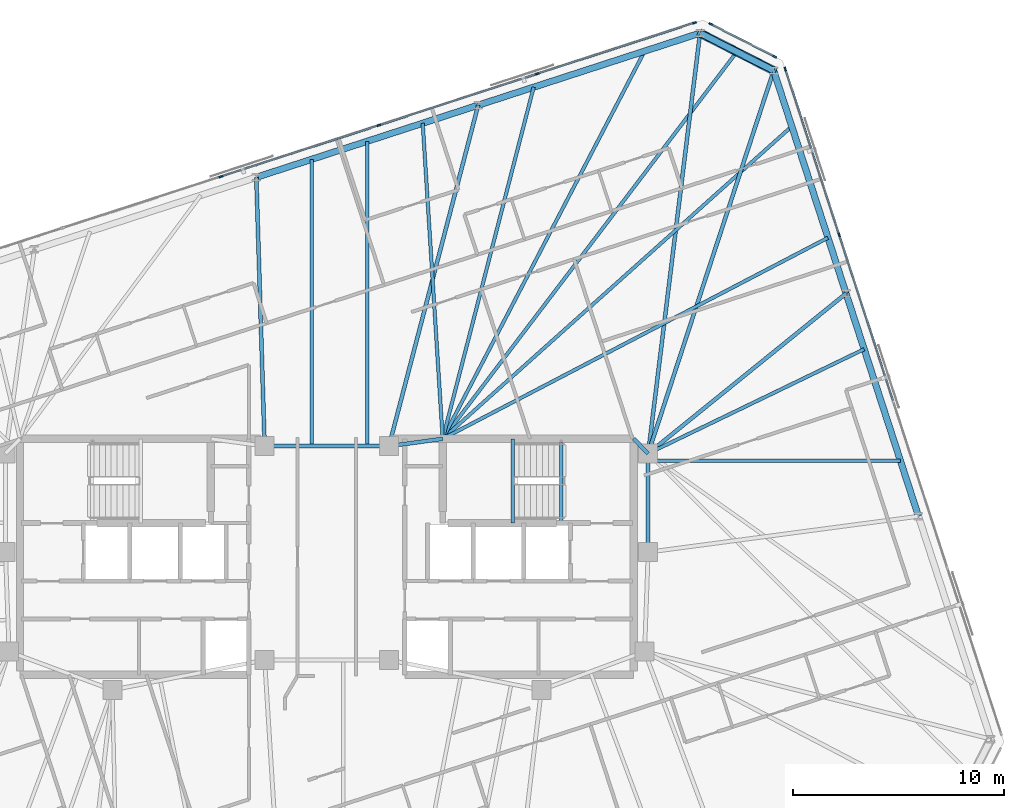
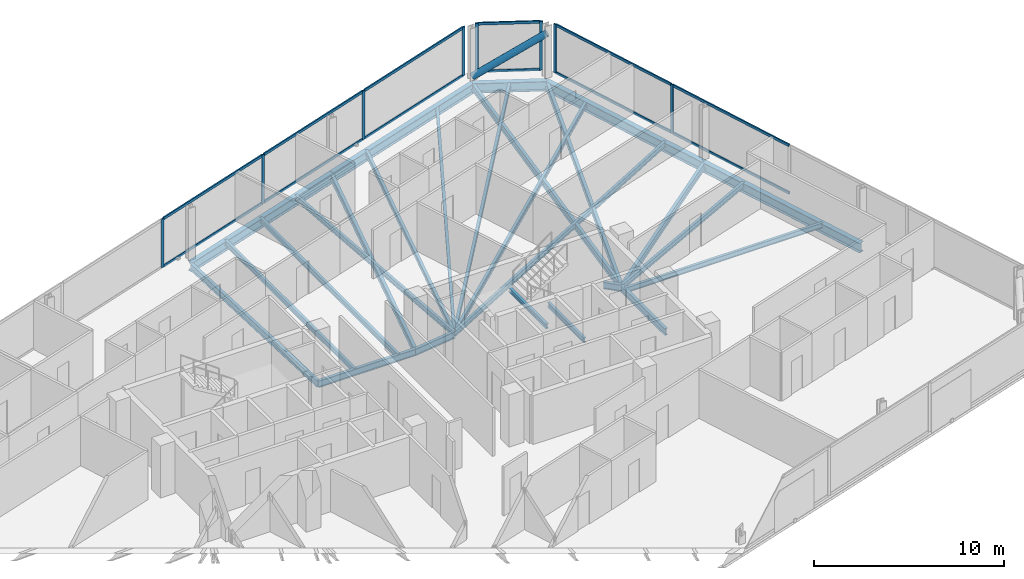
# One storey, part 10 of 20: 26 beams, 21 members, 3 elements without a shape of their own.
"""IFC4 building model written with IfcOpenShell, lengths in metres."""

from ifc_helpers import new_model, si_unit, direction, frame, origin, origin_2d, place, context, subcontext, project, spatial, rectangle, hollow_circle, i_section, extrude, material, material_profile, profile_set, type_object, element, aggregate, save


model = new_model("IFC4")

# Units and contexts
model_context = context("Model", 3, precision=1e-05, world=origin(), true_north=direction((0.0, 1.0)))
body_context = subcontext(model_context, "Body", "Model", "MODEL_VIEW")
ifc_project = project(units=[si_unit("LENGTHUNIT", "METRE"), si_unit("AREAUNIT", "SQUARE_METRE"), si_unit("VOLUMEUNIT", "CUBIC_METRE"), si_unit("PLANEANGLEUNIT", "RADIAN"), si_unit("MASSUNIT", "GRAM", prefix="KILO")], contexts=[model_context])

# Site, building, storey
site_placement = place(None, origin())
site = spatial("IfcSite", under=ifc_project, at=site_placement, CompositionType="ELEMENT")
building_placement = place(site_placement, origin())
building = spatial("IfcBuilding", under=site, at=building_placement, Name="Menara Jurai Vektor", CompositionType="ELEMENT")
storey_placement = place(building_placement, frame((0.0, 0.0, 217.60009765625)))
storey = spatial("IfcBuildingStorey", under=building, at=storey_placement, Name="L57", CompositionType="ELEMENT", Elevation=217.60009765625)

# Curtain wall, members
ifc_material_1 = material(Name="Anodised Pale Aluminium & Low-E Double Glazing", Category="aluminium")
curtain_wall_type = type_object("IfcCurtainWallType", Name="CW-BLK4", PredefinedType="NOTDEFINED", material=ifc_material_1)
curtain_wall_1_placement = place(storey_placement, origin())
curtain_wall_1 = element("IfcCurtainWall", 1, at=curtain_wall_1_placement, inside=storey, type_object=curtain_wall_type, Name="Unitised Curtain Wall L57 F03", PredefinedType="NOTDEFINED")
ifc_material_2 = material(Name="Anodised Pale Aluminium Mullion", Category="aluminium")
ifc_material_profile_1 = material_profile(ifc_material_2, rectangle(XDim=0.080078125, YDim=0.18994140625, at=origin_2d()), Name="ALU MUL 80x190")
ifc_profile_set_1 = profile_set([ifc_material_profile_1], Name="Anodised Pale Aluminium Mullion")
member_type_1 = type_object("IfcMemberType", Name="CW-BLK4-MUL", PredefinedType="MULLION", material=ifc_profile_set_1)
member_1_placement = place(storey_placement, frame((24.31494140625, 15.28271484375, 0.0), z_axis=(0.0, 0.0, 1.0), x_axis=(-0.95105668295, -0.309016481464, 0.0)))
member_1 = element("IfcMember", 2, at=member_1_placement, type_object=member_type_1, Name="CW-04 mullion 4", PredefinedType="MULLION", context=body_context, shape_type="SweptSolid", body=[
    extrude(rectangle(XDim=0.080078125, YDim=0.18994140625, at=origin_2d()), origin(), (0.0, 0.0, 1.0), 3.125),
])
member_2_placement = place(storey_placement, frame((21.75927734375, 23.14794921875, 0.0), z_axis=(0.0, 0.0, 1.0), x_axis=(-0.95105668295, -0.309016481464, 0.0)))
member_2 = element("IfcMember", 3, at=member_2_placement, type_object=member_type_1, Name="CW-04 mullion 5", PredefinedType="MULLION", context=body_context, shape_type="SweptSolid", body=[
    extrude(rectangle(XDim=0.080078125, YDim=0.18994140625, at=origin_2d()), origin(), (0.0, 0.0, 1.0), 3.125),
])

curtain_wall_2_placement = place(storey_placement, origin())
curtain_wall_2 = element("IfcCurtainWall", 4, at=curtain_wall_2_placement, inside=storey, type_object=curtain_wall_type, Name="Unitised Curtain Wall L57 F04", PredefinedType="NOTDEFINED")
member_3_placement = place(storey_placement, frame((21.25537109375, 23.73828125, 0.0), z_axis=(0.0, 0.0, 1.0), x_axis=(-0.453988579828, -0.89100750243, 0.0)))
member_3 = element("IfcMember", 5, at=member_3_placement, type_object=member_type_1, Name="CW-04 mullion 1", PredefinedType="MULLION", context=body_context, shape_type="SweptSolid", body=[
    extrude(rectangle(XDim=0.080078125, YDim=0.18994140625, at=origin_2d()), origin(), (0.0, 0.0, 1.0), 3.125),
])
member_4_placement = place(storey_placement, frame((18.223388671875, 25.282958984375, 0.0), z_axis=(0.0, 0.0, 1.0), x_axis=(-0.453988579828, -0.89100750243, 0.0)))
member_4 = element("IfcMember", 6, at=member_4_placement, type_object=member_type_1, Name="CW-04 mullion 2", PredefinedType="MULLION", context=body_context, shape_type="SweptSolid", body=[
    extrude(rectangle(XDim=0.080078125, YDim=0.18994140625, at=origin_2d()), origin(), (0.0, 0.0, 1.0), 3.125),
])

curtain_wall_3_placement = place(storey_placement, origin())
curtain_wall_3 = element("IfcCurtainWall", 7, at=curtain_wall_3_placement, inside=storey, type_object=curtain_wall_type, Name="Unitised Curtain Wall L57 F05", PredefinedType="NOTDEFINED")
member_5_placement = place(storey_placement, frame((17.44970703125, 25.34375, 0.0), z_axis=(0.0, 0.0, 1.0), x_axis=(0.309017344167, -0.951056402641, 0.0)))
member_5 = element("IfcMember", 8, at=member_5_placement, type_object=member_type_1, Name="CW-04 mullion 1", PredefinedType="MULLION", context=body_context, shape_type="SweptSolid", body=[
    extrude(rectangle(XDim=0.080078125, YDim=0.18994140625, at=origin_2d()), origin(), (0.0, 0.0, 1.0), 3.125),
])
member_6_placement = place(storey_placement, frame((9.982666015625, 22.917724609375, 0.0), z_axis=(0.0, 0.0, 1.0), x_axis=(0.309017344167, -0.951056402641, 0.0)))
member_6 = element("IfcMember", 9, at=member_6_placement, type_object=member_type_1, Name="CW-04 mullion 2", PredefinedType="MULLION", context=body_context, shape_type="SweptSolid", body=[
    extrude(rectangle(XDim=0.080078125, YDim=0.18994140625, at=origin_2d()), origin(), (0.0, 0.0, 1.0), 3.125),
])
member_7_placement = place(storey_placement, frame((2.4775390625, 20.47900390625, 0.0), z_axis=(0.0, 0.0, 1.0), x_axis=(0.309017344167, -0.951056402641, 0.0)))
member_7 = element("IfcMember", 10, at=member_7_placement, type_object=member_type_1, Name="CW-04 mullion 3", PredefinedType="MULLION", context=body_context, shape_type="SweptSolid", body=[
    extrude(rectangle(XDim=0.080078125, YDim=0.18994140625, at=origin_2d()), origin(), (0.0, 0.0, 1.0), 3.125),
])
member_8_placement = place(storey_placement, frame((-5.02783203125, 18.04052734375, 0.0), z_axis=(0.0, 0.0, 1.0), x_axis=(0.309017344167, -0.951056402641, 0.0)))
member_8 = element("IfcMember", 11, at=member_8_placement, type_object=member_type_1, Name="CW-04 mullion 4", PredefinedType="MULLION", context=body_context, shape_type="SweptSolid", body=[
    extrude(rectangle(XDim=0.080078125, YDim=0.18994140625, at=origin_2d()), origin(), (0.0, 0.0, 1.0), 3.125),
])

# Member
ifc_material_3 = material(Name="Anodised Pale Aluminium Transom", Category="aluminium")
ifc_material_profile_2 = material_profile(ifc_material_3, rectangle(XDim=0.080078125, YDim=0.1650390625, at=origin_2d()), Name="ALU TRN 80x165")
ifc_profile_set_2 = profile_set([ifc_material_profile_2], Name="Anodised Pale Aluminium Transom")
member_type_2 = type_object("IfcMemberType", Name="CW-BLK4-TRN", PredefinedType="USERDEFINED", material=ifc_profile_set_2)
member_9_placement = place(storey_placement, frame((26.870361328125, 7.41748046875, 0.039794921875), z_axis=(-0.309010276303, 0.951058699103, 0.0), x_axis=(-0.951058699103, -0.309010276303, 0.0)))
member_9 = element("IfcMember", 12, at=member_9_placement, type_object=member_type_2, Name="CW-04 transom 3.1", ObjectType="TRANSOM", PredefinedType="USERDEFINED", context=body_context, shape_type="SweptSolid", body=[
    extrude(rectangle(XDim=0.080078125, YDim=0.1650390625, at=origin_2d()), origin(), (0.0, 0.0, 1.0), 8.230224609375),
])

member_10_placement = place(storey_placement, frame((26.870361328125, 7.41748046875, 3.0849609375), z_axis=(-0.309010276303, 0.951058699103, 0.0), x_axis=(-0.951058699103, -0.309010276303, 0.0)))
member_10 = element("IfcMember", 13, at=member_10_placement, type_object=member_type_2, Name="CW-04 transom 3.2", ObjectType="TRANSOM", PredefinedType="USERDEFINED", context=body_context, shape_type="SweptSolid", body=[
    extrude(rectangle(XDim=0.080078125, YDim=0.1650390625, at=origin_2d()), origin(), (0.0, 0.0, 1.0), 8.230224609375),
])

member_11_placement = place(storey_placement, frame((24.302490234375, 15.32080078125, 0.039794921875), z_axis=(-0.309001816839, 0.951061447642, 0.0), x_axis=(-0.951061447642, -0.309001816839, 0.0)))
member_11 = element("IfcMember", 14, at=member_11_placement, type_object=member_type_2, Name="CW-04 transom 4.1", ObjectType="TRANSOM", PredefinedType="USERDEFINED", context=body_context, shape_type="SweptSolid", body=[
    extrude(rectangle(XDim=0.080078125, YDim=0.1650390625, at=origin_2d()), origin(), (0.0, 0.0, 1.0), 8.190185546875),
])

member_12_placement = place(storey_placement, frame((24.302490234375, 15.32080078125, 3.0849609375), z_axis=(-0.309001816839, 0.951061447642, 0.0), x_axis=(-0.951061447642, -0.309001816839, 0.0)))
member_12 = element("IfcMember", 15, at=member_12_placement, type_object=member_type_2, Name="CW-04 transom 4.2", ObjectType="TRANSOM", PredefinedType="USERDEFINED", context=body_context, shape_type="SweptSolid", body=[
    extrude(rectangle(XDim=0.080078125, YDim=0.1650390625, at=origin_2d()), origin(), (0.0, 0.0, 1.0), 8.190185546875),
])

aggregate(curtain_wall_1, [member_1, member_2, member_9, member_10, member_11, member_12])

member_13_placement = place(storey_placement, frame((21.2197265625, 23.75634765625, 0.039794921875), z_axis=(-0.89100697374, 0.453989617444, 0.0), x_axis=(-0.453989617444, -0.89100697374, 0.0)))
member_13 = element("IfcMember", 16, at=member_13_placement, type_object=member_type_2, Name="CW-04 transom 1.1", ObjectType="TRANSOM", PredefinedType="USERDEFINED", context=body_context, shape_type="SweptSolid", body=[
    extrude(rectangle(XDim=0.080078125, YDim=0.1650390625, at=origin_2d()), origin(), (0.0, 0.0, 1.0), 3.32275390625),
])

member_14_placement = place(storey_placement, frame((21.2197265625, 23.75634765625, 3.0849609375), z_axis=(-0.89100697374, 0.453989617444, 0.0), x_axis=(-0.453989617444, -0.89100697374, 0.0)))
member_14 = element("IfcMember", 17, at=member_14_placement, type_object=member_type_2, Name="CW-04 transom 1.2", ObjectType="TRANSOM", PredefinedType="USERDEFINED", context=body_context, shape_type="SweptSolid", body=[
    extrude(rectangle(XDim=0.080078125, YDim=0.1650390625, at=origin_2d()), origin(), (0.0, 0.0, 1.0), 3.32275390625),
])

aggregate(curtain_wall_2, [member_3, member_4, member_13, member_14])

member_15_placement = place(storey_placement, frame((17.41162109375, 25.33154296875, 0.039794921875), z_axis=(-0.951049997348, -0.309037056912, 0.0), x_axis=(0.309037056912, -0.951049997348, 0.0)))
member_15 = element("IfcMember", 18, at=member_15_placement, type_object=member_type_2, Name="CW-04 transom 1.1", ObjectType="TRANSOM", PredefinedType="USERDEFINED", context=body_context, shape_type="SweptSolid", body=[
    extrude(rectangle(XDim=0.080078125, YDim=0.1650390625, at=origin_2d()), origin(), (0.0, 0.0, 1.0), 7.771240234375),
])

member_16_placement = place(storey_placement, frame((17.41162109375, 25.33154296875, 3.0849609375), z_axis=(-0.951049997348, -0.309037056912, 0.0), x_axis=(0.309037056912, -0.951049997348, 0.0)))
member_16 = element("IfcMember", 19, at=member_16_placement, type_object=member_type_2, Name="CW-04 transom 1.2", ObjectType="TRANSOM", PredefinedType="USERDEFINED", context=body_context, shape_type="SweptSolid", body=[
    extrude(rectangle(XDim=0.080078125, YDim=0.1650390625, at=origin_2d()), origin(), (0.0, 0.0, 1.0), 7.771240234375),
])

member_17_placement = place(storey_placement, frame((9.944580078125, 22.9052734375, 0.039794921875), z_axis=(-0.951059330237, -0.309008333817, 0.0), x_axis=(0.309008333817, -0.951059330237, 0.0)))
member_17 = element("IfcMember", 20, at=member_17_placement, type_object=member_type_2, Name="CW-04 transom 2.1", ObjectType="TRANSOM", PredefinedType="USERDEFINED", context=body_context, shape_type="SweptSolid", body=[
    extrude(rectangle(XDim=0.080078125, YDim=0.1650390625, at=origin_2d()), origin(), (0.0, 0.0, 1.0), 7.8115234375),
])

member_18_placement = place(storey_placement, frame((9.944580078125, 22.9052734375, 3.0849609375), z_axis=(-0.951059330237, -0.309008333817, 0.0), x_axis=(0.309008333817, -0.951059330237, 0.0)))
member_18 = element("IfcMember", 21, at=member_18_placement, type_object=member_type_2, Name="CW-04 transom 2.2", ObjectType="TRANSOM", PredefinedType="USERDEFINED", context=body_context, shape_type="SweptSolid", body=[
    extrude(rectangle(XDim=0.080078125, YDim=0.1650390625, at=origin_2d()), origin(), (0.0, 0.0, 1.0), 7.8115234375),
])

member_19_placement = place(storey_placement, frame((2.439453125, 20.466552734375, 0.039794921875), z_axis=(-0.951059330237, -0.309008333817, 0.0), x_axis=(0.309008333817, -0.951059330237, 0.0)))
member_19 = element("IfcMember", 22, at=member_19_placement, type_object=member_type_2, Name="CW-04 transom 3.1", ObjectType="TRANSOM", PredefinedType="USERDEFINED", context=body_context, shape_type="SweptSolid", body=[
    extrude(rectangle(XDim=0.080078125, YDim=0.1650390625, at=origin_2d()), origin(), (0.0, 0.0, 1.0), 7.8115234375),
])

member_20_placement = place(storey_placement, frame((2.439453125, 20.466552734375, 3.0849609375), z_axis=(-0.951059330237, -0.309008333817, 0.0), x_axis=(0.309008333817, -0.951059330237, 0.0)))
member_20 = element("IfcMember", 23, at=member_20_placement, type_object=member_type_2, Name="CW-04 transom 3.2", ObjectType="TRANSOM", PredefinedType="USERDEFINED", context=body_context, shape_type="SweptSolid", body=[
    extrude(rectangle(XDim=0.080078125, YDim=0.1650390625, at=origin_2d()), origin(), (0.0, 0.0, 1.0), 7.8115234375),
])

aggregate(curtain_wall_3, [member_5, member_6, member_7, member_8, member_15, member_16, member_17, member_18, member_19, member_20])

# Beams
ifc_material_4 = material(Name="Steel S355", Category="steel")
ifc_material_profile_3 = material_profile(ifc_material_4, i_section(OverallWidth=0.18505859375, OverallDepth=0.429931640625, WebThickness=0.010986328125, FlangeThickness=0.01806640625, at=origin_2d()), Name="PG 430x185x76")
ifc_profile_set_3 = profile_set([ifc_material_profile_3], Name="Steel S355")
beam_type_1 = type_object("IfcBeamType", Name="STR-BM-430", PredefinedType="BEAM", material=ifc_profile_set_3)
beam_1_placement = place(storey_placement, frame((2.949951171875, 5.25, -0.440185546875), z_axis=(0.990706818608, 0.136014703483, 0.0), x_axis=(-0.136014703483, 0.990706818608, 0.0)))
element("IfcBeam", 24, at=beam_1_placement, inside=storey, type_object=beam_type_1, Name="Core Ring Header Girder L57-CHE-N1", PredefinedType="BEAM", context=body_context, shape_type="SweptSolid", body=[
    extrude(i_section(OverallWidth=0.18505859375, OverallDepth=0.429931640625, WebThickness=0.010986328125, FlangeThickness=0.01806640625, at=origin_2d()), origin(), (0.0, 0.0, 1.0), 2.573974609375),
])
beam_2_placement = place(storey_placement, frame((14.56005859375, 5.60009765625, -0.440185546875), z_axis=(0.701871936926, -0.712303154672, 0.0), x_axis=(0.712303154672, 0.701871936926, 0.0)))
element("IfcBeam", 25, at=beam_2_placement, inside=storey, type_object=beam_type_1, Name="Core Ring Header Girder L57-CHE-N2", PredefinedType="BEAM", context=body_context, shape_type="SweptSolid", body=[
    extrude(i_section(OverallWidth=0.18505859375, OverallDepth=0.429931640625, WebThickness=0.010986328125, FlangeThickness=0.01806640625, at=origin_2d()), origin(), (0.0, 0.0, 1.0), 0.98291015625),
])
beam_3_placement = place(storey_placement, frame((15.25, 0.219970703125, -0.440185546875), z_axis=(0.0, 1.0, 0.0), x_axis=(-1.0, 0.0, 0.0)))
element("IfcBeam", 26, at=beam_3_placement, inside=storey, type_object=beam_type_1, Name="Core Ring Header Girder L57-CHE-E1", PredefinedType="BEAM", context=body_context, shape_type="SweptSolid", body=[
    extrude(i_section(OverallWidth=0.18505859375, OverallDepth=0.429931640625, WebThickness=0.010986328125, FlangeThickness=0.01806640625, at=origin_2d()), origin(), (0.0, 0.0, 1.0), 4.679931640625),
])
beam_4_placement = place(storey_placement, frame((-2.949951171875, 5.25, -0.440185546875), z_axis=(1.0, 0.0, 0.0), x_axis=(0.0, 1.0, 0.0)))
element("IfcBeam", 27, at=beam_4_placement, inside=storey, type_object=beam_type_1, Name="Core Ring Header Girder L57-CC-2", PredefinedType="BEAM", context=body_context, shape_type="SweptSolid", body=[
    extrude(i_section(OverallWidth=0.18505859375, OverallDepth=0.429931640625, WebThickness=0.010986328125, FlangeThickness=0.01806640625, at=origin_2d()), origin(), (0.0, 0.0, 1.0), 5.89990234375),
])
beam_5_placement = place(storey_placement, frame((24.641845703125, 12.496826171875, -0.440185546875), z_axis=(-0.777487674144, -0.628898176619, 0.0), x_axis=(0.628898176619, -0.777487674144, 0.0)))
element("IfcBeam", 28, at=beam_5_placement, inside=storey, type_object=beam_type_1, Name="Radial Floor Girder L57-E3", PredefinedType="BEAM", context=body_context, shape_type="SweptSolid", body=[
    extrude(i_section(OverallWidth=0.18505859375, OverallDepth=0.429931640625, WebThickness=0.010986328125, FlangeThickness=0.01806640625, at=origin_2d()), origin(), (0.0, 0.0, 1.0), 12.079833984375),
])
beam_6_placement = place(storey_placement, frame((21.205810546875, 23.071044921875, -0.440185546875), z_axis=(-0.311459010005, -0.950259588263, 0.0), x_axis=(0.950259588263, -0.311459010005, 0.0)))
element("IfcBeam", 29, at=beam_6_placement, inside=storey, type_object=beam_type_1, Name="Radial Floor Girder L57-E4", PredefinedType="BEAM", context=body_context, shape_type="SweptSolid", body=[
    extrude(i_section(OverallWidth=0.18505859375, OverallDepth=0.429931640625, WebThickness=0.010986328125, FlangeThickness=0.01806640625, at=origin_2d()), origin(), (0.0, 0.0, 1.0), 19.122314453125),
])
beam_7_placement = place(storey_placement, frame((17.712890625, 24.85107421875, -0.440185546875), z_axis=(-0.122515938756, -0.99246654591, 0.0), x_axis=(0.99246654591, -0.122515938756, 0.0)))
element("IfcBeam", 30, at=beam_7_placement, inside=storey, type_object=beam_type_1, Name="Radial Floor Girder L57-N1", PredefinedType="BEAM", context=body_context, shape_type="SweptSolid", body=[
    extrude(i_section(OverallWidth=0.18505859375, OverallDepth=0.429931640625, WebThickness=0.010986328125, FlangeThickness=0.01806640625, at=origin_2d()), origin(), (0.0, 0.0, 1.0), 20.1025390625),
])
beam_8_placement = place(storey_placement, frame((7.18359375, 21.4296875, -0.440185546875), z_axis=(-0.253141463003, -0.96742927375, 0.0), x_axis=(0.96742927375, -0.253141463003, 0.0)))
element("IfcBeam", 31, at=beam_8_placement, inside=storey, type_object=beam_type_1, Name="Radial Floor Girder L57-N2", PredefinedType="BEAM", context=body_context, shape_type="SweptSolid", body=[
    extrude(i_section(OverallWidth=0.18505859375, OverallDepth=0.429931640625, WebThickness=0.010986328125, FlangeThickness=0.01806640625, at=origin_2d()), origin(), (0.0, 0.0, 1.0), 16.724365234375),
])
beam_9_placement = place(storey_placement, frame((-3.345703125, 18.008544921875, -0.440185546875), z_axis=(0.031003668991, -0.999519270704, 0.0), x_axis=(0.999519270704, 0.031003668991, 0.0)))
element("IfcBeam", 32, at=beam_9_placement, inside=storey, type_object=beam_type_1, Name="Radial Floor Girder L57-N3", PredefinedType="BEAM", context=body_context, shape_type="SweptSolid", body=[
    extrude(i_section(OverallWidth=0.18505859375, OverallDepth=0.429931640625, WebThickness=0.010986328125, FlangeThickness=0.01806640625, at=origin_2d()), origin(), (0.0, 0.0, 1.0), 12.7646484375),
])

# Member
ifc_material_5 = material(Name="Steel S460", Category="steel")
ifc_material_profile_4 = material_profile(ifc_material_5, hollow_circle(Radius=0.203125, WallThickness=0.01611328125, at=origin_2d()), Name="CHS 406.4x16")
ifc_profile_set_4 = profile_set([ifc_material_profile_4], Name="Steel S460")
member_type_3 = type_object("IfcMemberType", Name="STR-BR-406", PredefinedType="BRACE", material=ifc_profile_set_4)
member_21_placement = place(storey_placement, frame((17.712890625, 24.85107421875, 0.14990234375), z_axis=(0.740360915323, -0.377269459996, 0.556357321886), x_axis=(0.454025593397, 0.890988642206, 0.0)))
element("IfcMember", 33, at=member_21_placement, inside=storey, type_object=member_type_3, Name="Exoskeleton Corner Brace L57-2", PredefinedType="BRACE", context=body_context, shape_type="SweptSolid", body=[
    extrude(hollow_circle(Radius=0.203125, WallThickness=0.01611328125, at=origin_2d()), origin(), (0.0, 0.0, 1.0), 4.71826171875),
])

# Beams
ifc_material_profile_5 = material_profile(ifc_material_4, i_section(OverallWidth=0.1650390625, OverallDepth=0.330078125, WebThickness=0.009033203125, FlangeThickness=0.013916015625, at=origin_2d()), Name="PG 330x165x46")
ifc_profile_set_5 = profile_set([ifc_material_profile_5], Name="Steel S355")
beam_type_2 = type_object("IfcBeamType", Name="STR-JS-330", PredefinedType="JOIST", material=ifc_profile_set_5)
beam_10_placement = place(storey_placement, frame((27.218505859375, 4.56591796875, -0.39013671875), z_axis=(-1.0, 0.0, 0.0), x_axis=(0.0, -1.0, 0.0)))
element("IfcBeam", 34, at=beam_10_placement, inside=storey, type_object=beam_type_2, Name="Radial Secondary Floor Joist L57-JS11", PredefinedType="JOIST", context=body_context, shape_type="SweptSolid", body=[
    extrude(i_section(OverallWidth=0.1650390625, OverallDepth=0.330078125, WebThickness=0.009033203125, FlangeThickness=0.013916015625, at=origin_2d()), origin(), (0.0, 0.0, 1.0), 11.968505859375),
])
beam_11_placement = place(storey_placement, frame((25.500732421875, 9.853271484375, -0.39013671875), z_axis=(-0.900388578627, -0.435086666629, 0.0), x_axis=(0.435086666629, -0.900388578627, 0.0)))
element("IfcBeam", 35, at=beam_11_placement, inside=storey, type_object=beam_type_2, Name="Radial Secondary Floor Joist L57-JS12", PredefinedType="JOIST", context=body_context, shape_type="SweptSolid", body=[
    extrude(i_section(OverallWidth=0.1650390625, OverallDepth=0.330078125, WebThickness=0.009033203125, FlangeThickness=0.013916015625, at=origin_2d()), origin(), (0.0, 0.0, 1.0), 11.384765625),
])
beam_12_placement = place(storey_placement, frame((23.78271484375, 15.140380859375, -0.39013671875), z_axis=(-0.886555502614, -0.462622244153, 0.0), x_axis=(0.462622244153, -0.886555502614, 0.0)))
element("IfcBeam", 36, at=beam_12_placement, inside=storey, type_object=beam_type_2, Name="Radial Secondary Floor Joist L57-JS13", PredefinedType="JOIST", context=body_context, shape_type="SweptSolid", body=[
    extrude(i_section(OverallWidth=0.1650390625, OverallDepth=0.330078125, WebThickness=0.009033203125, FlangeThickness=0.013916015625, at=origin_2d()), origin(), (0.0, 0.0, 1.0), 20.6220703125),
])
beam_13_placement = place(storey_placement, frame((22.06494140625, 20.427490234375, -0.39013671875), z_axis=(-0.745104297608, -0.666947963252, 0.0), x_axis=(0.666947963252, -0.745104297608, 0.0)))
element("IfcBeam", 37, at=beam_13_placement, inside=storey, type_object=beam_type_2, Name="Radial Secondary Floor Joist L57-JS14", PredefinedType="JOIST", context=body_context, shape_type="SweptSolid", body=[
    extrude(i_section(OverallWidth=0.1650390625, OverallDepth=0.330078125, WebThickness=0.009033203125, FlangeThickness=0.013916015625, at=origin_2d()), origin(), (0.0, 0.0, 1.0), 22.231689453125),
])
beam_14_placement = place(storey_placement, frame((19.45947265625, 23.9609375, -0.39013671875), z_axis=(-0.605227110118, -0.796052853257, 0.0), x_axis=(0.796052853257, -0.605227110118, 0.0)))
element("IfcBeam", 38, at=beam_14_placement, inside=storey, type_object=beam_type_2, Name="Radial Secondary Floor Joist L57-JS15", PredefinedType="JOIST", context=body_context, shape_type="SweptSolid", body=[
    extrude(i_section(OverallWidth=0.1650390625, OverallDepth=0.330078125, WebThickness=0.009033203125, FlangeThickness=0.013916015625, at=origin_2d()), origin(), (0.0, 0.0, 1.0), 23.06494140625),
])
beam_15_placement = place(storey_placement, frame((15.08056640625, 23.99560546875, -0.39013671875), z_axis=(-0.461918215026, -0.886922523464, 0.0), x_axis=(0.886922523464, -0.461918215026, 0.0)))
element("IfcBeam", 39, at=beam_15_placement, inside=storey, type_object=beam_type_2, Name="Radial Secondary Floor Joist L57-JS16", PredefinedType="JOIST", context=body_context, shape_type="SweptSolid", body=[
    extrude(i_section(OverallWidth=0.1650390625, OverallDepth=0.330078125, WebThickness=0.009033203125, FlangeThickness=0.013916015625, at=origin_2d()), origin(), (0.0, 0.0, 1.0), 20.74072265625),
])
beam_16_placement = place(storey_placement, frame((9.81591796875, 22.28515625, -0.39013671875), z_axis=(-0.250427234151, -0.968135424616, 0.0), x_axis=(0.968135424616, -0.250427234151, 0.0)))
element("IfcBeam", 40, at=beam_16_placement, inside=storey, type_object=beam_type_2, Name="Radial Secondary Floor Joist L57-JS17", PredefinedType="JOIST", context=body_context, shape_type="SweptSolid", body=[
    extrude(i_section(OverallWidth=0.1650390625, OverallDepth=0.330078125, WebThickness=0.009033203125, FlangeThickness=0.013916015625, at=origin_2d()), origin(), (0.0, 0.0, 1.0), 17.234130859375),
])
beam_17_placement = place(storey_placement, frame((4.55126953125, 20.574462890625, -0.39013671875), z_axis=(0.063230194737, -0.997998969175, 0.0), x_axis=(0.997998969175, 0.063230194737, 0.0)))
element("IfcBeam", 41, at=beam_17_placement, inside=storey, type_object=beam_type_2, Name="Radial Secondary Floor Joist L57-JS18", PredefinedType="JOIST", context=body_context, shape_type="SweptSolid", body=[
    extrude(i_section(OverallWidth=0.1650390625, OverallDepth=0.330078125, WebThickness=0.009033203125, FlangeThickness=0.013916015625, at=origin_2d()), origin(), (0.0, 0.0, 1.0), 15.00439453125),
])
beam_18_placement = place(storey_placement, frame((1.9189453125, 19.71923828125, -0.39013671875), z_axis=(0.0, -1.0, 0.0), x_axis=(1.0, 0.0, 0.0)))
element("IfcBeam", 42, at=beam_18_placement, inside=storey, type_object=beam_type_2, Name="Radial Secondary Floor Joist L57-JS19", PredefinedType="JOIST", context=body_context, shape_type="SweptSolid", body=[
    extrude(i_section(OverallWidth=0.1650390625, OverallDepth=0.330078125, WebThickness=0.009033203125, FlangeThickness=0.013916015625, at=origin_2d()), origin(), (0.0, 0.0, 1.0), 14.46923828125),
])
beam_19_placement = place(storey_placement, frame((-0.71337890625, 18.864013671875, -0.39013671875), z_axis=(0.0, -1.0, 0.0), x_axis=(1.0, 0.0, 0.0)))
element("IfcBeam", 43, at=beam_19_placement, inside=storey, type_object=beam_type_2, Name="Radial Secondary Floor Joist L57-JS20", PredefinedType="JOIST", context=body_context, shape_type="SweptSolid", body=[
    extrude(i_section(OverallWidth=0.1650390625, OverallDepth=0.330078125, WebThickness=0.009033203125, FlangeThickness=0.013916015625, at=origin_2d()), origin(), (0.0, 0.0, 1.0), 13.614013671875),
])
ifc_material_profile_6 = material_profile(ifc_material_4, i_section(OverallWidth=0.1650390625, OverallDepth=0.302978515625, WebThickness=0.006103515625, FlangeThickness=0.010009765625, FilletRadius=0.009033203125, at=origin_2d()), Name="UKB 305x165x40")
ifc_profile_set_6 = profile_set([ifc_material_profile_6], Name="Steel S355")
beam_type_3 = type_object("IfcBeamType", Name="STR-LN-305", PredefinedType="LINTEL", material=ifc_profile_set_6)
beam_20_placement = place(storey_placement, frame((11.1201171875, 1.60009765625, -0.376708984375), z_axis=(0.0, 1.0, 0.0), x_axis=(-1.0, 0.0, 0.0)))
element("IfcBeam", 44, at=beam_20_placement, inside=storey, type_object=beam_type_3, Name="Stair Well Floor Trimmer ST2 L57", PredefinedType="LINTEL", context=body_context, shape_type="SweptSolid", body=[
    extrude(i_section(OverallWidth=0.1650390625, OverallDepth=0.302978515625, WebThickness=0.006103515625, FlangeThickness=0.010009765625, FilletRadius=0.009033203125, at=origin_2d()), origin(), (0.0, 0.0, 1.0), 3.81982421875),
])
beam_21_placement = place(storey_placement, frame((8.830078125, 1.60009765625, 1.323486328125), z_axis=(0.0, 1.0, 0.0), x_axis=(-1.0, 0.0, 0.0)))
element("IfcBeam", 45, at=beam_21_placement, inside=storey, type_object=beam_type_3, Name="Stair Half-Landing Nosing Trimmer ST2-1 L57", PredefinedType="LINTEL", context=body_context, shape_type="SweptSolid", body=[
    extrude(i_section(OverallWidth=0.1650390625, OverallDepth=0.302978515625, WebThickness=0.006103515625, FlangeThickness=0.010009765625, FilletRadius=0.009033203125, at=origin_2d()), origin(), (0.0, 0.0, 1.0), 4.0),
])
ifc_material_profile_7 = material_profile(ifc_material_4, i_section(OverallWidth=0.306884765625, OverallDepth=0.6201171875, WebThickness=0.013916015625, FlangeThickness=0.02392578125, FilletRadius=0.01708984375, at=origin_2d()), Name="UKB 610x305x179")
ifc_profile_set_7 = profile_set([ifc_material_profile_7], Name="Steel S355")
beam_type_4 = type_object("IfcBeamType", Name="STR-SP-610", PredefinedType="SPANDREL", material=ifc_profile_set_7)
beam_22_placement = place(storey_placement, frame((28.07763671875, 1.92236328125, -0.53515625), z_axis=(-0.309012092614, 0.95105810896, 0.0), x_axis=(-0.95105810896, -0.309012092614, 0.0)))
element("IfcBeam", 46, at=beam_22_placement, inside=storey, type_object=beam_type_4, Name="Exoskeleton Spandrel Beam L57-08", PredefinedType="SPANDREL", context=body_context, shape_type="SweptSolid", body=[
    extrude(i_section(OverallWidth=0.306884765625, OverallDepth=0.6201171875, WebThickness=0.013916015625, FlangeThickness=0.02392578125, FilletRadius=0.01708984375, at=origin_2d()), origin(), (0.0, 0.0, 1.0), 11.11865234375),
])
beam_23_placement = place(storey_placement, frame((24.641845703125, 12.496826171875, -0.53515625), z_axis=(-0.309038407092, 0.951049558615, 0.0), x_axis=(-0.951049558615, -0.309038407092, 0.0)))
element("IfcBeam", 47, at=beam_23_placement, inside=storey, type_object=beam_type_4, Name="Exoskeleton Spandrel Beam L57-09", PredefinedType="SPANDREL", context=body_context, shape_type="SweptSolid", body=[
    extrude(i_section(OverallWidth=0.306884765625, OverallDepth=0.6201171875, WebThickness=0.013916015625, FlangeThickness=0.02392578125, FilletRadius=0.01708984375, at=origin_2d()), origin(), (0.0, 0.0, 1.0), 11.118408203125),
])
beam_24_placement = place(storey_placement, frame((21.205810546875, 23.071044921875, -0.53515625), z_axis=(-0.890975804423, 0.454050785633, 0.0), x_axis=(-0.454050785633, -0.890975804423, 0.0)))
element("IfcBeam", 48, at=beam_24_placement, inside=storey, type_object=beam_type_4, Name="Exoskeleton Spandrel Beam L57-10", PredefinedType="SPANDREL", context=body_context, shape_type="SweptSolid", body=[
    extrude(i_section(OverallWidth=0.306884765625, OverallDepth=0.6201171875, WebThickness=0.013916015625, FlangeThickness=0.02392578125, FilletRadius=0.01708984375, at=origin_2d()), origin(), (0.0, 0.0, 1.0), 3.92041015625),
])
beam_25_placement = place(storey_placement, frame((17.712890625, 24.85107421875, -0.53515625), z_axis=(-0.951050920942, -0.309034214572, 0.0), x_axis=(0.309034214572, -0.951050920942, 0.0)))
element("IfcBeam", 49, at=beam_25_placement, inside=storey, type_object=beam_type_4, Name="Exoskeleton Spandrel Beam L57-11", PredefinedType="SPANDREL", context=body_context, shape_type="SweptSolid", body=[
    extrude(i_section(OverallWidth=0.306884765625, OverallDepth=0.6201171875, WebThickness=0.013916015625, FlangeThickness=0.02392578125, FilletRadius=0.01708984375, at=origin_2d()), origin(), (0.0, 0.0, 1.0), 11.0712890625),
])
beam_26_placement = place(storey_placement, frame((7.18359375, 21.4296875, -0.53515625), z_axis=(-0.951057401967, -0.309014268544, 0.0), x_axis=(0.309014268544, -0.951057401967, 0.0)))
element("IfcBeam", 50, at=beam_26_placement, inside=storey, type_object=beam_type_4, Name="Exoskeleton Spandrel Beam L57-12", PredefinedType="SPANDREL", context=body_context, shape_type="SweptSolid", body=[
    extrude(i_section(OverallWidth=0.306884765625, OverallDepth=0.6201171875, WebThickness=0.013916015625, FlangeThickness=0.02392578125, FilletRadius=0.01708984375, at=origin_2d()), origin(), (0.0, 0.0, 1.0), 11.071044921875),
])

save(model, "model.ifc")
